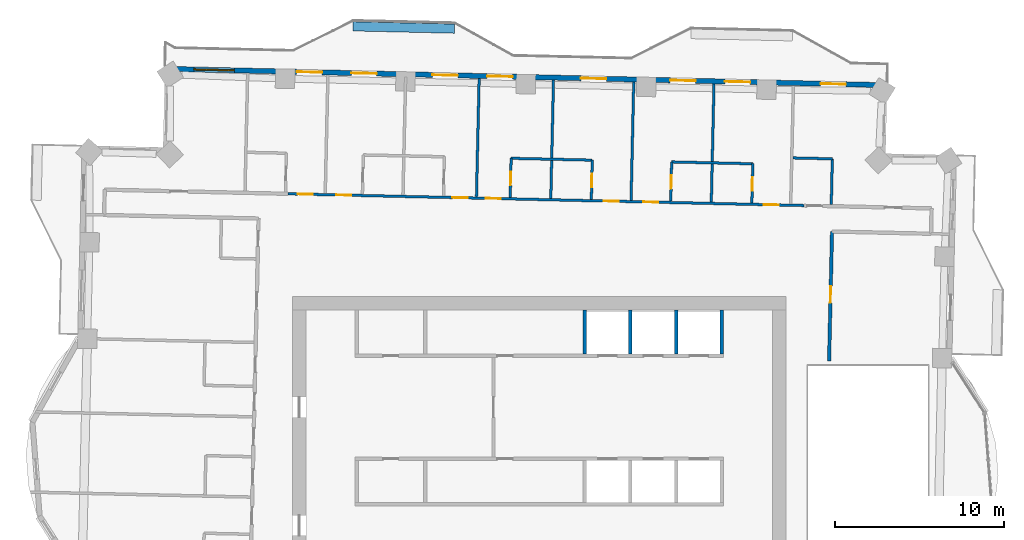
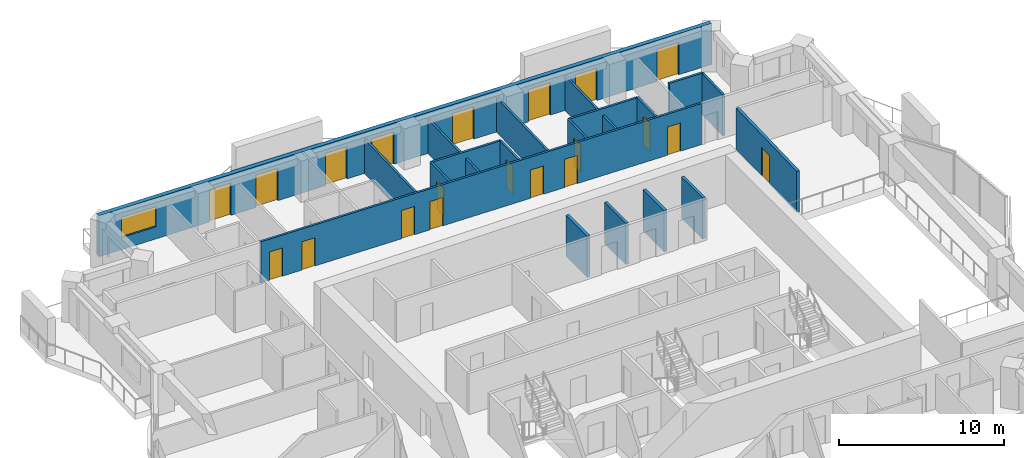
# One storey, part 9 of 14: 20 doors, 20 walls, 1 window, 21 openings.
"""IFC4 building model written with IfcOpenShell, lengths in metres."""

from ifc_helpers import new_model, si_unit, direction, frame, frame_2d, origin, place, context, subcontext, project, spatial, rectangle, extrude, material, layer, layer_set, type_object, element, fill, save


model = new_model("IFC4")

# Units and contexts
model_context = context("Model", 3, precision=1e-05, world=origin(), true_north=direction((0.0, 1.0)))
body_context = subcontext(model_context, "Body", "Model", "MODEL_VIEW")
ifc_project = project(units=[si_unit("LENGTHUNIT", "METRE"), si_unit("AREAUNIT", "SQUARE_METRE"), si_unit("VOLUMEUNIT", "CUBIC_METRE"), si_unit("PLANEANGLEUNIT", "RADIAN"), si_unit("MASSUNIT", "GRAM", prefix="KILO")], contexts=[model_context])

# Site, building, storey
site_placement = place(None, origin())
site = spatial("IfcSite", under=ifc_project, at=site_placement, CompositionType="ELEMENT")
building_placement = place(site_placement, origin())
building = spatial("IfcBuilding", under=site, at=building_placement, Name="Mangrove Gate Tower", CompositionType="ELEMENT")
storey_placement = place(building_placement, frame((0.0, 0.0, 205.10009765625)))
storey = spatial("IfcBuildingStorey", under=building, at=storey_placement, Name="L52", CompositionType="ELEMENT", Elevation=205.10009765625)

# Walls
ifc_material_1 = material(Name="Concrete C60/75", Category="concrete")
ifc_layer_1 = layer(ifc_material_1, 0.199951171875)
ifc_layer_set_1 = layer_set([ifc_layer_1], Name="Core shaft wall 200 C60/75")
wall_type_1 = type_object("IfcWallType", Name="Core shaft wall 200 C60/75", PredefinedType="SHEAR", material=ifc_layer_set_1)
for number, where, z_axis, x_axis, name in (
    (1, (2.699951171875, 8.199951171875, 0.0), (0.0, 0.0, 1.0), (0.0, 1.0, 0.0), "WALL-L52-CORE-27"),
    (2, (5.39990234375, 8.199951171875, 0.0), (0.0, 0.0, 1.0), (0.0, 1.0, 0.0), "WALL-L52-CORE-28"),
    (3, (8.10009765625, 8.199951171875, 0.0), (0.0, 0.0, 1.0), (0.0, 1.0, 0.0), "WALL-L52-CORE-29"),
    (4, (10.800048828125, 8.199951171875, 0.0), (0.0, 0.0, 1.0), (0.0, 1.0, 0.0), "WALL-L52-CORE-30"),
):
    element("IfcWall", number, at=place(storey_placement, frame(where, z_axis=z_axis, x_axis=x_axis)), inside=storey, type_object=wall_type_1, Name=name, PredefinedType="SHEAR", context=body_context, shape_type="SweptSolid", body=[
        extrude(rectangle(XDim=2.60009765625, YDim=0.199951171875, at=frame_2d((1.300048828125, 0.0))), origin(), (0.0, 0.0, 1.0), 3.0498046875),
    ])

# Wall, opening, door
ifc_material_2 = material(Name="Gypsum board on steel stud, EI 60", Category="steel")
ifc_layer_2 = layer(ifc_material_2, 0.199951171875)
ifc_layer_set_2 = layer_set([ifc_layer_2], Name="Corridor wall EI 60")
wall_type_2 = type_object("IfcWallType", Name="Corridor wall EI 60", PredefinedType="PARTITIONING", material=ifc_layer_set_2)
wall_1_placement = place(storey_placement, frame((17.154052734375, 7.785888671875, 0.0), z_axis=(0.0, 0.0, 1.0), x_axis=(0.022680883318, 0.999742755679, 0.0)))
wall_1 = element("IfcWall", 5, at=wall_1_placement, inside=storey, type_object=wall_type_2, Name="WALL-L52-044", PredefinedType="PARTITIONING", context=body_context, shape_type="SweptSolid", body=[
    extrude(rectangle(XDim=7.6640625, YDim=0.199951171875, at=frame_2d((3.83203125, 0.0))), origin(), (0.0, 0.0, 1.0), 3.0498046875),
])
opening_1_placement = place(wall_1_placement, frame((3.43408203125, 0.0, 0.0)))
opening_1 = element("IfcOpeningElement", 6, at=opening_1_placement, cuts=wall_1, Name="Opening AD", PredefinedType="OPENING", context=body_context, shape_type="SweptSolid", body=[
    extrude(rectangle(XDim=1.0, YDim=2.10009765625, at=frame_2d((0.5, 1.050048828125))), frame((0.0, 0.10986328125, 0.0), z_axis=(0.0, -1.0, 0.0), x_axis=(1.0, 0.0, 0.0)), (0.0, 0.0, 1.0), 0.219970703125),
])
ifc_material_3 = material(Name="Timber door leaf", Category="wood")
door_type_1 = type_object("IfcDoorType", Name="Amenity door 1000", OperationType="SINGLE_SWING_LEFT", PredefinedType="DOOR", material=ifc_material_3)
door_1_placement = place(opening_1_placement, origin())
door_1 = element("IfcDoor", 7, at=door_1_placement, inside=storey, type_object=door_type_1, Name="DOOR-L52-GAM-c3a", OperationType="SINGLE_SWING_RIGHT", OverallHeight=2.10009765625, OverallWidth=1.0, PredefinedType="DOOR", context=body_context, shape_type="SweptSolid", body=[
    extrude(rectangle(XDim=1.0, YDim=2.10009765625, at=frame_2d((0.5, 1.050048828125))), frame((0.0, 0.02490234375, 0.0), z_axis=(0.0, -1.0, 0.0), x_axis=(1.0, 0.0, 0.0)), (0.0, 0.0, 1.0), 0.050048828125),
])
fill(opening_1, door_1)

# Wall, openings, doors, window
ifc_material_4 = material(Name="Limestone", Category="masonry")
ifc_layer_3 = layer(ifc_material_4, 0.0400390625, Name="Limestone cladding")
ifc_material_5 = material(Name="Ventilated air gap")
ifc_layer_4 = layer(ifc_material_5, 0.0400390625, Name="Ventilated cavity")
ifc_material_6 = material(Name="Mineral wool insulation")
ifc_layer_5 = layer(ifc_material_6, 0.06005859375, Name="Insulation")
ifc_material_7 = material(Name="Breather membrane")
ifc_layer_6 = layer(ifc_material_7, 0.001953125, Name="Breather membrane")
ifc_material_8 = material(Name="Concrete C20/25 blockwork", Category="masonry")
ifc_layer_7 = layer(ifc_material_8, 0.14990234375, Name="Blockwork backing wall")
ifc_material_9 = material(Name="Gypsum plaster")
ifc_layer_8 = layer(ifc_material_9, 0.008056640625, Name="Internal plaster")
ifc_layer_set_3 = layer_set([ifc_layer_3, ifc_layer_4, ifc_layer_5, ifc_layer_6, ifc_layer_7, ifc_layer_8], Name="External wall 300 limestone cladding")
wall_type_3 = type_object("IfcWallType", Name="External wall 300 limestone cladding", PredefinedType="SOLIDWALL", material=ifc_layer_set_3)
wall_2_placement = place(storey_placement, frame((20.43701171875, 24.10595703125, 0.0), z_axis=(0.0, 0.0, 1.0), x_axis=(-0.999742506232, 0.022691875925, 0.0)))
wall_2 = element("IfcWall", 8, at=wall_2_placement, inside=storey, type_object=wall_type_3, Name="WALL-L52-N5", PredefinedType="SOLIDWALL", context=body_context, shape_type="SweptSolid", body=[
    extrude(rectangle(XDim=42.444091796875, YDim=0.300048828125, at=frame_2d((21.22216796875, 0.0))), origin(), (0.0, 0.0, 1.0), 3.0498046875),
])
opening_2_placement = place(wall_2_placement, frame((2.287109375, 0.0, 0.0)))
opening_2 = element("IfcOpeningElement", 9, at=opening_2_placement, cuts=wall_2, Name="Opening BD1", PredefinedType="OPENING", context=body_context, shape_type="SweptSolid", body=[
    extrude(rectangle(XDim=1.5, YDim=2.39990234375, at=frame_2d((0.75, 1.199951171875))), frame((0.0, 0.159912109375, 0.0), z_axis=(0.0, -1.0, 0.0), x_axis=(1.0, 0.0, 0.0)), (0.0, 0.0, 1.0), 0.320068359375),
])
opening_3_placement = place(wall_2_placement, frame((7.947021484375, 0.0, 0.0)))
opening_3 = element("IfcOpeningElement", 10, at=opening_3_placement, cuts=wall_2, Name="Opening BD1", PredefinedType="OPENING", context=body_context, shape_type="SweptSolid", body=[
    extrude(rectangle(XDim=1.5, YDim=2.39990234375, at=frame_2d((0.75, 1.199951171875))), frame((0.0, 0.159912109375, 0.0), z_axis=(0.0, -1.0, 0.0), x_axis=(1.0, 0.0, 0.0)), (0.0, 0.0, 1.0), 0.320068359375),
])
opening_4_placement = place(wall_2_placement, frame((11.18408203125, 0.0, 0.0)))
opening_4 = element("IfcOpeningElement", 11, at=opening_4_placement, cuts=wall_2, Name="Opening BD1", PredefinedType="OPENING", context=body_context, shape_type="SweptSolid", body=[
    extrude(rectangle(XDim=1.5, YDim=2.39990234375, at=frame_2d((0.75, 1.199951171875))), frame((0.0, 0.159912109375, 0.0), z_axis=(0.0, -1.0, 0.0), x_axis=(1.0, 0.0, 0.0)), (0.0, 0.0, 1.0), 0.320068359375),
])
opening_5_placement = place(wall_2_placement, frame((16.468994140625, 0.0, 0.0)))
opening_5 = element("IfcOpeningElement", 12, at=opening_5_placement, cuts=wall_2, Name="Opening BD1", PredefinedType="OPENING", context=body_context, shape_type="SweptSolid", body=[
    extrude(rectangle(XDim=1.5, YDim=2.39990234375, at=frame_2d((0.75, 1.199951171875))), frame((0.0, 0.159912109375, 0.0), z_axis=(0.0, -1.0, 0.0), x_axis=(1.0, 0.0, 0.0)), (0.0, 0.0, 1.0), 0.320068359375),
])
opening_6_placement = place(wall_2_placement, frame((22.02001953125, 0.0, 0.0)))
opening_6 = element("IfcOpeningElement", 13, at=opening_6_placement, cuts=wall_2, Name="Opening BD1", PredefinedType="OPENING", context=body_context, shape_type="SweptSolid", body=[
    extrude(rectangle(XDim=1.5, YDim=2.39990234375, at=frame_2d((0.75, 1.199951171875))), frame((0.0, 0.159912109375, 0.0), z_axis=(0.0, -1.0, 0.0), x_axis=(1.0, 0.0, 0.0)), (0.0, 0.0, 1.0), 0.320068359375),
])
opening_7_placement = place(wall_2_placement, frame((25.257080078125, 0.0, 0.0)))
opening_7 = element("IfcOpeningElement", 14, at=opening_7_placement, cuts=wall_2, Name="Opening BD1", PredefinedType="OPENING", context=body_context, shape_type="SweptSolid", body=[
    extrude(rectangle(XDim=1.5, YDim=2.39990234375, at=frame_2d((0.75, 1.199951171875))), frame((0.0, 0.159912109375, 0.0), z_axis=(0.0, -1.0, 0.0), x_axis=(1.0, 0.0, 0.0)), (0.0, 0.0, 1.0), 0.320068359375),
])
opening_8_placement = place(wall_2_placement, frame((30.056884765625, 0.0, 0.0)))
opening_8 = element("IfcOpeningElement", 15, at=opening_8_placement, cuts=wall_2, Name="Opening BD1", PredefinedType="OPENING", context=body_context, shape_type="SweptSolid", body=[
    extrude(rectangle(XDim=1.5, YDim=2.39990234375, at=frame_2d((0.75, 1.199951171875))), frame((0.0, 0.159912109375, 0.0), z_axis=(0.0, -1.0, 0.0), x_axis=(1.0, 0.0, 0.0)), (0.0, 0.0, 1.0), 0.320068359375),
])
opening_9_placement = place(wall_2_placement, frame((33.2939453125, 0.0, 0.0)))
opening_9 = element("IfcOpeningElement", 16, at=opening_9_placement, cuts=wall_2, Name="Opening BD1", PredefinedType="OPENING", context=body_context, shape_type="SweptSolid", body=[
    extrude(rectangle(XDim=1.5, YDim=2.39990234375, at=frame_2d((0.75, 1.199951171875))), frame((0.0, 0.159912109375, 0.0), z_axis=(0.0, -1.0, 0.0), x_axis=(1.0, 0.0, 0.0)), (0.0, 0.0, 1.0), 0.320068359375),
])
opening_10_placement = place(wall_2_placement, frame((38.48388671875, 0.0, 0.89990234375)))
opening_10 = element("IfcOpeningElement", 17, at=opening_10_placement, cuts=wall_2, Name="Opening W2", PredefinedType="OPENING", context=body_context, shape_type="SweptSolid", body=[
    extrude(rectangle(XDim=2.39990234375, YDim=1.5, at=frame_2d((1.199951171875, 0.75))), frame((0.0, 0.159912109375, 0.0), z_axis=(0.0, -1.0, 0.0), x_axis=(1.0, 0.0, 0.0)), (0.0, 0.0, 1.0), 0.320068359375),
])
ifc_material_10 = material(Name="Aluminium frame with laminated clear glass", Category="aluminium")
door_type_2 = type_object("IfcDoorType", Name="Balcony sliding door 1500x2400", OperationType="SLIDING_TO_LEFT", PredefinedType="DOOR", material=ifc_material_10)
door_2_placement = place(opening_2_placement, origin())
door_2 = element("IfcDoor", 18, at=door_2_placement, inside=storey, type_object=door_type_2, Name="DOOR-L52-N5-1", OperationType="SLIDING_TO_LEFT", OverallHeight=2.39990234375, OverallWidth=1.5, PredefinedType="DOOR", context=body_context, shape_type="SweptSolid", body=[
    extrude(rectangle(XDim=1.5, YDim=2.39990234375, at=frame_2d((0.75, 1.199951171875))), frame((0.0, 0.02490234375, 0.0), z_axis=(0.0, -1.0, 0.0), x_axis=(1.0, 0.0, 0.0)), (0.0, 0.0, 1.0), 0.050048828125),
])
fill(opening_2, door_2)
door_3_placement = place(opening_3_placement, origin())
door_3 = element("IfcDoor", 19, at=door_3_placement, inside=storey, type_object=door_type_2, Name="DOOR-L52-N5-2", OperationType="SLIDING_TO_LEFT", OverallHeight=2.39990234375, OverallWidth=1.5, PredefinedType="DOOR", context=body_context, shape_type="SweptSolid", body=[
    extrude(rectangle(XDim=1.5, YDim=2.39990234375, at=frame_2d((0.75, 1.199951171875))), frame((0.0, 0.02490234375, 0.0), z_axis=(0.0, -1.0, 0.0), x_axis=(1.0, 0.0, 0.0)), (0.0, 0.0, 1.0), 0.050048828125),
])
fill(opening_3, door_3)
door_4_placement = place(opening_4_placement, origin())
door_4 = element("IfcDoor", 20, at=door_4_placement, inside=storey, type_object=door_type_2, Name="DOOR-L52-N5-3", OperationType="SLIDING_TO_LEFT", OverallHeight=2.39990234375, OverallWidth=1.5, PredefinedType="DOOR", context=body_context, shape_type="SweptSolid", body=[
    extrude(rectangle(XDim=1.5, YDim=2.39990234375, at=frame_2d((0.75, 1.199951171875))), frame((0.0, 0.02490234375, 0.0), z_axis=(0.0, -1.0, 0.0), x_axis=(1.0, 0.0, 0.0)), (0.0, 0.0, 1.0), 0.050048828125),
])
fill(opening_4, door_4)
door_5_placement = place(opening_5_placement, origin())
door_5 = element("IfcDoor", 21, at=door_5_placement, inside=storey, type_object=door_type_2, Name="DOOR-L52-N5-4", OperationType="SLIDING_TO_LEFT", OverallHeight=2.39990234375, OverallWidth=1.5, PredefinedType="DOOR", context=body_context, shape_type="SweptSolid", body=[
    extrude(rectangle(XDim=1.5, YDim=2.39990234375, at=frame_2d((0.75, 1.199951171875))), frame((0.0, 0.02490234375, 0.0), z_axis=(0.0, -1.0, 0.0), x_axis=(1.0, 0.0, 0.0)), (0.0, 0.0, 1.0), 0.050048828125),
])
fill(opening_5, door_5)
door_6_placement = place(opening_6_placement, origin())
door_6 = element("IfcDoor", 22, at=door_6_placement, inside=storey, type_object=door_type_2, Name="DOOR-L52-N5-5", OperationType="SLIDING_TO_LEFT", OverallHeight=2.39990234375, OverallWidth=1.5, PredefinedType="DOOR", context=body_context, shape_type="SweptSolid", body=[
    extrude(rectangle(XDim=1.5, YDim=2.39990234375, at=frame_2d((0.75, 1.199951171875))), frame((0.0, 0.02490234375, 0.0), z_axis=(0.0, -1.0, 0.0), x_axis=(1.0, 0.0, 0.0)), (0.0, 0.0, 1.0), 0.050048828125),
])
fill(opening_6, door_6)
door_7_placement = place(opening_7_placement, origin())
door_7 = element("IfcDoor", 23, at=door_7_placement, inside=storey, type_object=door_type_2, Name="DOOR-L52-N5-6", OperationType="SLIDING_TO_LEFT", OverallHeight=2.39990234375, OverallWidth=1.5, PredefinedType="DOOR", context=body_context, shape_type="SweptSolid", body=[
    extrude(rectangle(XDim=1.5, YDim=2.39990234375, at=frame_2d((0.75, 1.199951171875))), frame((0.0, 0.02490234375, 0.0), z_axis=(0.0, -1.0, 0.0), x_axis=(1.0, 0.0, 0.0)), (0.0, 0.0, 1.0), 0.050048828125),
])
fill(opening_7, door_7)
door_8_placement = place(opening_8_placement, origin())
door_8 = element("IfcDoor", 24, at=door_8_placement, inside=storey, type_object=door_type_2, Name="DOOR-L52-N5-7", OperationType="SLIDING_TO_LEFT", OverallHeight=2.39990234375, OverallWidth=1.5, PredefinedType="DOOR", context=body_context, shape_type="SweptSolid", body=[
    extrude(rectangle(XDim=1.5, YDim=2.39990234375, at=frame_2d((0.75, 1.199951171875))), frame((0.0, 0.02490234375, 0.0), z_axis=(0.0, -1.0, 0.0), x_axis=(1.0, 0.0, 0.0)), (0.0, 0.0, 1.0), 0.050048828125),
])
fill(opening_8, door_8)
door_9_placement = place(opening_9_placement, origin())
door_9 = element("IfcDoor", 25, at=door_9_placement, inside=storey, type_object=door_type_2, Name="DOOR-L52-N5-8", OperationType="SLIDING_TO_LEFT", OverallHeight=2.39990234375, OverallWidth=1.5, PredefinedType="DOOR", context=body_context, shape_type="SweptSolid", body=[
    extrude(rectangle(XDim=1.5, YDim=2.39990234375, at=frame_2d((0.75, 1.199951171875))), frame((0.0, 0.02490234375, 0.0), z_axis=(0.0, -1.0, 0.0), x_axis=(1.0, 0.0, 0.0)), (0.0, 0.0, 1.0), 0.050048828125),
])
fill(opening_9, door_9)
ifc_material_11 = material(Name="Aluminium frame with double-glazed low-e glass", Category="aluminium")
window_type = type_object("IfcWindowType", Name="Corner room window 2400x1500", PartitioningType="DOUBLE_PANEL_VERTICAL", PredefinedType="WINDOW", material=ifc_material_11)
window_placement = place(opening_10_placement, origin())
window = element("IfcWindow", 26, at=window_placement, inside=storey, type_object=window_type, Name="WIN-L52-N5-9", OverallHeight=1.5, OverallWidth=2.39990234375, PartitioningType="DOUBLE_PANEL_VERTICAL", PredefinedType="WINDOW", context=body_context, shape_type="SweptSolid", body=[
    extrude(rectangle(XDim=2.39990234375, YDim=1.5, at=frame_2d((1.199951171875, 0.75))), frame((0.0, 0.030029296875, 0.0), z_axis=(0.0, -1.0, 0.0), x_axis=(1.0, 0.0, 0.0)), (0.0, 0.0, 1.0), 0.06005859375),
])
fill(opening_10, window)

# Wall, openings, doors
ifc_material_12 = material(Name="Gypsum board on steel stud, EI 60", Category="steel")
ifc_layer_9 = layer(ifc_material_12, 0.14990234375)
ifc_layer_set_4 = layer_set([ifc_layer_9], Name="Party wall 150 EI 60")
wall_type_4 = type_object("IfcWallType", Name="Party wall 150 EI 60", PredefinedType="PARTITIONING", material=ifc_layer_set_4)
wall_3_placement = place(storey_placement, frame((-14.87109375, 17.675048828125, 0.0), z_axis=(0.0, 0.0, 1.0), x_axis=(0.999742359486, -0.02269834024, 0.0)))
wall_3 = element("IfcWall", 27, at=wall_3_placement, inside=storey, type_object=wall_type_4, Name="WALL-L52-055", PredefinedType="PARTITIONING", context=body_context, shape_type="SweptSolid", body=[
    extrude(rectangle(XDim=30.535888671875, YDim=0.14990234375, at=frame_2d((15.26806640625, 0.0))), origin(), (0.0, 0.0, 1.0), 3.0498046875),
])
opening_11_placement = place(wall_3_placement, frame((28.158935546875, 0.0, 0.0)))
opening_11 = element("IfcOpeningElement", 28, at=opening_11_placement, cuts=wall_3, Name="Opening BD", PredefinedType="OPENING", context=body_context, shape_type="SweptSolid", body=[
    extrude(rectangle(XDim=0.89990234375, YDim=2.10009765625, at=frame_2d((0.449951171875, 1.050048828125))), frame((0.0, 0.0849609375, 0.0), z_axis=(0.0, -1.0, 0.0), x_axis=(1.0, 0.0, 0.0)), (0.0, 0.0, 1.0), 0.169921875),
])
opening_12_placement = place(wall_3_placement, frame((21.033935546875, 0.0, 0.0)))
opening_12 = element("IfcOpeningElement", 29, at=opening_12_placement, cuts=wall_3, Name="Opening BD", PredefinedType="OPENING", context=body_context, shape_type="SweptSolid", body=[
    extrude(rectangle(XDim=0.89990234375, YDim=2.10009765625, at=frame_2d((0.449951171875, 1.050048828125))), frame((0.0, 0.0849609375, 0.0), z_axis=(0.0, -1.0, 0.0), x_axis=(1.0, 0.0, 0.0)), (0.0, 0.0, 1.0), 0.169921875),
])
opening_13_placement = place(wall_3_placement, frame((18.68408203125, 0.0, 0.0)))
opening_13 = element("IfcOpeningElement", 30, at=opening_13_placement, cuts=wall_3, Name="Opening BD", PredefinedType="OPENING", context=body_context, shape_type="SweptSolid", body=[
    extrude(rectangle(XDim=0.89990234375, YDim=2.10009765625, at=frame_2d((0.449951171875, 1.050048828125))), frame((0.0, 0.0849609375, 0.0), z_axis=(0.0, -1.0, 0.0), x_axis=(1.0, 0.0, 0.0)), (0.0, 0.0, 1.0), 0.169921875),
])
opening_14_placement = place(wall_3_placement, frame((11.708984375, 0.0, 0.0)))
opening_14 = element("IfcOpeningElement", 31, at=opening_14_placement, cuts=wall_3, Name="Opening BD", PredefinedType="OPENING", context=body_context, shape_type="SweptSolid", body=[
    extrude(rectangle(XDim=0.89990234375, YDim=2.10009765625, at=frame_2d((0.449951171875, 1.050048828125))), frame((0.0, 0.0849609375, 0.0), z_axis=(0.0, -1.0, 0.0), x_axis=(1.0, 0.0, 0.0)), (0.0, 0.0, 1.0), 0.169921875),
])
opening_15_placement = place(wall_3_placement, frame((9.73388671875, 0.0, 0.0)))
opening_15 = element("IfcOpeningElement", 32, at=opening_15_placement, cuts=wall_3, Name="Opening BD", PredefinedType="OPENING", context=body_context, shape_type="SweptSolid", body=[
    extrude(rectangle(XDim=0.89990234375, YDim=2.10009765625, at=frame_2d((0.449951171875, 1.050048828125))), frame((0.0, 0.0849609375, 0.0), z_axis=(0.0, -1.0, 0.0), x_axis=(1.0, 0.0, 0.0)), (0.0, 0.0, 1.0), 0.169921875),
])
opening_16_placement = place(wall_3_placement, frame((2.85888671875, 0.0, 0.0)))
opening_16 = element("IfcOpeningElement", 33, at=opening_16_placement, cuts=wall_3, Name="Opening BD", PredefinedType="OPENING", context=body_context, shape_type="SweptSolid", body=[
    extrude(rectangle(XDim=0.89990234375, YDim=2.10009765625, at=frame_2d((0.449951171875, 1.050048828125))), frame((0.0, 0.0849609375, 0.0), z_axis=(0.0, -1.0, 0.0), x_axis=(1.0, 0.0, 0.0)), (0.0, 0.0, 1.0), 0.169921875),
])
opening_17_placement = place(wall_3_placement, frame((0.583984375, 0.0, 0.0)))
opening_17 = element("IfcOpeningElement", 34, at=opening_17_placement, cuts=wall_3, Name="Opening BD", PredefinedType="OPENING", context=body_context, shape_type="SweptSolid", body=[
    extrude(rectangle(XDim=0.89990234375, YDim=2.10009765625, at=frame_2d((0.449951171875, 1.050048828125))), frame((0.0, 0.0849609375, 0.0), z_axis=(0.0, -1.0, 0.0), x_axis=(1.0, 0.0, 0.0)), (0.0, 0.0, 1.0), 0.169921875),
])
ifc_material_13 = material(Name="Timber door leaf", Category="wood")
door_type_3 = type_object("IfcDoorType", Name="Bedroom door 900", OperationType="SINGLE_SWING_LEFT", PredefinedType="DOOR", material=ifc_material_13)
door_10_placement = place(opening_11_placement, origin())
door_10 = element("IfcDoor", 35, at=door_10_placement, inside=storey, type_object=door_type_3, Name="DOOR-L52-BED-c308", OperationType="SINGLE_SWING_RIGHT", OverallHeight=2.10009765625, OverallWidth=0.89990234375, PredefinedType="DOOR", context=body_context, shape_type="SweptSolid", body=[
    extrude(rectangle(XDim=0.89990234375, YDim=2.10009765625, at=frame_2d((0.449951171875, 1.050048828125))), frame((0.0, 0.02490234375, 0.0), z_axis=(0.0, -1.0, 0.0), x_axis=(1.0, 0.0, 0.0)), (0.0, 0.0, 1.0), 0.050048828125),
])
fill(opening_11, door_10)
door_11_placement = place(opening_12_placement, origin())
door_11 = element("IfcDoor", 36, at=door_11_placement, inside=storey, type_object=door_type_3, Name="DOOR-L52-BED-c309", OperationType="SINGLE_SWING_LEFT", OverallHeight=2.10009765625, OverallWidth=0.89990234375, PredefinedType="DOOR", context=body_context, shape_type="SweptSolid", body=[
    extrude(rectangle(XDim=0.89990234375, YDim=2.10009765625, at=frame_2d((0.449951171875, 1.050048828125))), frame((0.0, 0.02490234375, 0.0), z_axis=(0.0, -1.0, 0.0), x_axis=(1.0, 0.0, 0.0)), (0.0, 0.0, 1.0), 0.050048828125),
])
fill(opening_12, door_11)
door_12_placement = place(opening_13_placement, origin())
door_12 = element("IfcDoor", 37, at=door_12_placement, inside=storey, type_object=door_type_3, Name="DOOR-L52-BED-c410", OperationType="SINGLE_SWING_RIGHT", OverallHeight=2.10009765625, OverallWidth=0.89990234375, PredefinedType="DOOR", context=body_context, shape_type="SweptSolid", body=[
    extrude(rectangle(XDim=0.89990234375, YDim=2.10009765625, at=frame_2d((0.449951171875, 1.050048828125))), frame((0.0, 0.02490234375, 0.0), z_axis=(0.0, -1.0, 0.0), x_axis=(1.0, 0.0, 0.0)), (0.0, 0.0, 1.0), 0.050048828125),
])
fill(opening_13, door_12)
door_13_placement = place(opening_14_placement, origin())
door_13 = element("IfcDoor", 38, at=door_13_placement, inside=storey, type_object=door_type_3, Name="DOOR-L52-BED-c411", OperationType="SINGLE_SWING_LEFT", OverallHeight=2.10009765625, OverallWidth=0.89990234375, PredefinedType="DOOR", context=body_context, shape_type="SweptSolid", body=[
    extrude(rectangle(XDim=0.89990234375, YDim=2.10009765625, at=frame_2d((0.449951171875, 1.050048828125))), frame((0.0, 0.02490234375, 0.0), z_axis=(0.0, -1.0, 0.0), x_axis=(1.0, 0.0, 0.0)), (0.0, 0.0, 1.0), 0.050048828125),
])
fill(opening_14, door_13)
door_14_placement = place(opening_15_placement, origin())
door_14 = element("IfcDoor", 39, at=door_14_placement, inside=storey, type_object=door_type_3, Name="DOOR-L52-BED-c412", OperationType="SINGLE_SWING_RIGHT", OverallHeight=2.10009765625, OverallWidth=0.89990234375, PredefinedType="DOOR", context=body_context, shape_type="SweptSolid", body=[
    extrude(rectangle(XDim=0.89990234375, YDim=2.10009765625, at=frame_2d((0.449951171875, 1.050048828125))), frame((0.0, 0.02490234375, 0.0), z_axis=(0.0, -1.0, 0.0), x_axis=(1.0, 0.0, 0.0)), (0.0, 0.0, 1.0), 0.050048828125),
])
fill(opening_15, door_14)
door_15_placement = place(opening_16_placement, origin())
door_15 = element("IfcDoor", 40, at=door_15_placement, inside=storey, type_object=door_type_3, Name="DOOR-L52-BED-c513", OperationType="SINGLE_SWING_LEFT", OverallHeight=2.10009765625, OverallWidth=0.89990234375, PredefinedType="DOOR", context=body_context, shape_type="SweptSolid", body=[
    extrude(rectangle(XDim=0.89990234375, YDim=2.10009765625, at=frame_2d((0.449951171875, 1.050048828125))), frame((0.0, 0.02490234375, 0.0), z_axis=(0.0, -1.0, 0.0), x_axis=(1.0, 0.0, 0.0)), (0.0, 0.0, 1.0), 0.050048828125),
])
fill(opening_16, door_15)
door_16_placement = place(opening_17_placement, origin())
door_16 = element("IfcDoor", 41, at=door_16_placement, inside=storey, type_object=door_type_3, Name="DOOR-L52-BED-c514", OperationType="SINGLE_SWING_RIGHT", OverallHeight=2.10009765625, OverallWidth=0.89990234375, PredefinedType="DOOR", context=body_context, shape_type="SweptSolid", body=[
    extrude(rectangle(XDim=0.89990234375, YDim=2.10009765625, at=frame_2d((0.449951171875, 1.050048828125))), frame((0.0, 0.02490234375, 0.0), z_axis=(0.0, -1.0, 0.0), x_axis=(1.0, 0.0, 0.0)), (0.0, 0.0, 1.0), 0.050048828125),
])
fill(opening_17, door_16)

# Wall
wall_4_placement = place(storey_placement, frame((-3.7109375, 17.5009765625, 0.0), z_axis=(0.0, 0.0, 1.0), x_axis=(0.022702393474, 0.999742267452, 0.0)))
element("IfcWall", 42, at=wall_4_placement, inside=storey, type_object=wall_type_4, Name="WALL-L52-063", PredefinedType="PARTITIONING", context=body_context, shape_type="SweptSolid", body=[
    extrude(rectangle(XDim=7.000732421875, YDim=0.14990234375, at=frame_2d((3.50048828125, 0.0))), origin(), (0.0, 0.0, 1.0), 2.5498046875),
])

# Wall, opening, door
wall_5_placement = place(storey_placement, frame((-1.7109375, 17.4560546875, 0.0), z_axis=(0.0, 0.0, 1.0), x_axis=(0.022370700241, 0.999749744571, 0.0)))
wall_5 = element("IfcWall", 43, at=wall_5_placement, inside=storey, type_object=wall_type_4, Name="WALL-L52-064", PredefinedType="PARTITIONING", context=body_context, shape_type="SweptSolid", body=[
    extrude(rectangle(XDim=2.324462890625, YDim=0.14990234375, at=frame_2d((1.162109375, 0.0))), origin(), (0.0, 0.0, 1.0), 3.0498046875),
])
opening_18_placement = place(wall_5_placement, frame((0.72509765625, 0.0, 0.0)))
opening_18 = element("IfcOpeningElement", 44, at=opening_18_placement, cuts=wall_5, Name="Opening ED", PredefinedType="OPENING", context=body_context, shape_type="SweptSolid", body=[
    extrude(rectangle(XDim=0.800048828125, YDim=2.10009765625, at=frame_2d((0.39990234375, 1.050048828125))), frame((0.0, 0.0849609375, 0.0), z_axis=(0.0, -1.0, 0.0), x_axis=(1.0, 0.0, 0.0)), (0.0, 0.0, 1.0), 0.169921875),
])
ifc_material_14 = material(Name="Timber door leaf", Category="wood")
door_type_4 = type_object("IfcDoorType", Name="En-suite door 800", OperationType="SINGLE_SWING_LEFT", PredefinedType="DOOR", material=ifc_material_14)
door_17_placement = place(opening_18_placement, origin())
door_17 = element("IfcDoor", 45, at=door_17_placement, inside=storey, type_object=door_type_4, Name="DOOR-L52-ENS-c411", OperationType="SINGLE_SWING_LEFT", OverallHeight=2.10009765625, OverallWidth=0.800048828125, PredefinedType="DOOR", context=body_context, shape_type="SweptSolid", body=[
    extrude(rectangle(XDim=0.800048828125, YDim=2.10009765625, at=frame_2d((0.39990234375, 1.050048828125))), frame((0.0, 0.02490234375, 0.0), z_axis=(0.0, -1.0, 0.0), x_axis=(1.0, 0.0, 0.0)), (0.0, 0.0, 1.0), 0.050048828125),
])
fill(opening_18, door_17)

# Wall
wall_6_placement = place(storey_placement, frame((0.68798828125, 17.40087890625, 0.0), z_axis=(0.0, 0.0, 1.0), x_axis=(0.022699227919, 0.999742339331, 0.0)))
element("IfcWall", 46, at=wall_6_placement, inside=storey, type_object=wall_type_4, Name="WALL-L52-065", PredefinedType="PARTITIONING", context=body_context, shape_type="SweptSolid", body=[
    extrude(rectangle(XDim=7.001708984375, YDim=0.14990234375, at=frame_2d((3.5009765625, 0.0))), origin(), (0.0, 0.0, 1.0), 2.5498046875),
])

# Wall, opening, door
wall_7_placement = place(storey_placement, frame((3.0869140625, 17.346923828125, 0.0), z_axis=(0.0, 0.0, 1.0), x_axis=(0.02279059109, 0.999740260747, 0.0)))
wall_7 = element("IfcWall", 47, at=wall_7_placement, inside=storey, type_object=wall_type_4, Name="WALL-L52-066", PredefinedType="PARTITIONING", context=body_context, shape_type="SweptSolid", body=[
    extrude(rectangle(XDim=2.324462890625, YDim=0.14990234375, at=frame_2d((1.162109375, 0.0))), origin(), (0.0, 0.0, 1.0), 3.0498046875),
])
opening_19_placement = place(wall_7_placement, frame((0.72509765625, 0.0, 0.0)))
opening_19 = element("IfcOpeningElement", 48, at=opening_19_placement, cuts=wall_7, Name="Opening ED", PredefinedType="OPENING", context=body_context, shape_type="SweptSolid", body=[
    extrude(rectangle(XDim=0.800048828125, YDim=2.10009765625, at=frame_2d((0.39990234375, 1.050048828125))), frame((0.0, 0.0849609375, 0.0), z_axis=(0.0, -1.0, 0.0), x_axis=(1.0, 0.0, 0.0)), (0.0, 0.0, 1.0), 0.169921875),
])
door_18_placement = place(opening_19_placement, origin())
door_18 = element("IfcDoor", 49, at=door_18_placement, inside=storey, type_object=door_type_4, Name="DOOR-L52-ENS-c410", OperationType="SINGLE_SWING_RIGHT", OverallHeight=2.10009765625, OverallWidth=0.800048828125, PredefinedType="DOOR", context=body_context, shape_type="SweptSolid", body=[
    extrude(rectangle(XDim=0.800048828125, YDim=2.10009765625, at=frame_2d((0.39990234375, 1.050048828125))), frame((0.0, 0.02490234375, 0.0), z_axis=(0.0, -1.0, 0.0), x_axis=(1.0, 0.0, 0.0)), (0.0, 0.0, 1.0), 0.050048828125),
])
fill(opening_19, door_18)

# Wall
wall_8_placement = place(storey_placement, frame((5.43701171875, 17.29296875, 0.0), z_axis=(0.0, 0.0, 1.0), x_axis=(0.022699227919, 0.999742339331, 0.0)))
element("IfcWall", 50, at=wall_8_placement, inside=storey, type_object=wall_type_4, Name="WALL-L52-067", PredefinedType="PARTITIONING", context=body_context, shape_type="SweptSolid", body=[
    extrude(rectangle(XDim=7.001708984375, YDim=0.14990234375, at=frame_2d((3.5009765625, 0.0))), origin(), (0.0, 0.0, 1.0), 2.5498046875),
])

# Wall, opening, door
wall_9_placement = place(storey_placement, frame((7.785888671875, 17.239990234375, 0.0), z_axis=(0.0, 0.0, 1.0), x_axis=(0.022895561926, 0.999737862264, 0.0)))
wall_9 = element("IfcWall", 51, at=wall_9_placement, inside=storey, type_object=wall_type_4, Name="WALL-L52-068", PredefinedType="PARTITIONING", context=body_context, shape_type="SweptSolid", body=[
    extrude(rectangle(XDim=2.324462890625, YDim=0.14990234375, at=frame_2d((1.162109375, 0.0))), origin(), (0.0, 0.0, 1.0), 3.0498046875),
])
opening_20_placement = place(wall_9_placement, frame((0.72509765625, 0.0, 0.0)))
opening_20 = element("IfcOpeningElement", 52, at=opening_20_placement, cuts=wall_9, Name="Opening ED", PredefinedType="OPENING", context=body_context, shape_type="SweptSolid", body=[
    extrude(rectangle(XDim=0.800048828125, YDim=2.10009765625, at=frame_2d((0.39990234375, 1.050048828125))), frame((0.0, 0.0849609375, 0.0), z_axis=(0.0, -1.0, 0.0), x_axis=(1.0, 0.0, 0.0)), (0.0, 0.0, 1.0), 0.169921875),
])
door_19_placement = place(opening_20_placement, origin())
door_19 = element("IfcDoor", 53, at=door_19_placement, inside=storey, type_object=door_type_4, Name="DOOR-L52-ENS-c309", OperationType="SINGLE_SWING_LEFT", OverallHeight=2.10009765625, OverallWidth=0.800048828125, PredefinedType="DOOR", context=body_context, shape_type="SweptSolid", body=[
    extrude(rectangle(XDim=0.800048828125, YDim=2.10009765625, at=frame_2d((0.39990234375, 1.050048828125))), frame((0.0, 0.02490234375, 0.0), z_axis=(0.0, -1.0, 0.0), x_axis=(1.0, 0.0, 0.0)), (0.0, 0.0, 1.0), 0.050048828125),
])
fill(opening_20, door_19)

# Wall
wall_10_placement = place(storey_placement, frame((10.18505859375, 17.18603515625, 0.0), z_axis=(0.0, 0.0, 1.0), x_axis=(0.022702393474, 0.999742267452, 0.0)))
element("IfcWall", 54, at=wall_10_placement, inside=storey, type_object=wall_type_4, Name="WALL-L52-069", PredefinedType="PARTITIONING", context=body_context, shape_type="SweptSolid", body=[
    extrude(rectangle(XDim=7.000732421875, YDim=0.14990234375, at=frame_2d((3.50048828125, 0.0))), origin(), (0.0, 0.0, 1.0), 2.5498046875),
])

# Wall, opening, door
wall_11_placement = place(storey_placement, frame((12.5849609375, 17.131103515625, 0.0), z_axis=(0.0, 0.0, 1.0), x_axis=(0.022781023197, 0.999740478815, 0.0)))
wall_11 = element("IfcWall", 55, at=wall_11_placement, inside=storey, type_object=wall_type_4, Name="WALL-L52-070", PredefinedType="PARTITIONING", context=body_context, shape_type="SweptSolid", body=[
    extrude(rectangle(XDim=2.325439453125, YDim=0.14990234375, at=frame_2d((1.16259765625, 0.0))), origin(), (0.0, 0.0, 1.0), 3.0498046875),
])
opening_21_placement = place(wall_11_placement, frame((0.72509765625, 0.0, 0.0)))
opening_21 = element("IfcOpeningElement", 56, at=opening_21_placement, cuts=wall_11, Name="Opening ED", PredefinedType="OPENING", context=body_context, shape_type="SweptSolid", body=[
    extrude(rectangle(XDim=0.800048828125, YDim=2.10009765625, at=frame_2d((0.39990234375, 1.050048828125))), frame((0.0, 0.0849609375, 0.0), z_axis=(0.0, -1.0, 0.0), x_axis=(1.0, 0.0, 0.0)), (0.0, 0.0, 1.0), 0.169921875),
])
door_20_placement = place(opening_21_placement, origin())
door_20 = element("IfcDoor", 57, at=door_20_placement, inside=storey, type_object=door_type_4, Name="DOOR-L52-ENS-c308", OperationType="SINGLE_SWING_RIGHT", OverallHeight=2.10009765625, OverallWidth=0.800048828125, PredefinedType="DOOR", context=body_context, shape_type="SweptSolid", body=[
    extrude(rectangle(XDim=0.800048828125, YDim=2.10009765625, at=frame_2d((0.39990234375, 1.050048828125))), frame((0.0, 0.02490234375, 0.0), z_axis=(0.0, -1.0, 0.0), x_axis=(1.0, 0.0, 0.0)), (0.0, 0.0, 1.0), 0.050048828125),
])
fill(opening_21, door_20)

# Walls
wall_12_placement = place(storey_placement, frame((17.283935546875, 17.050048828125, 0.0), z_axis=(0.0, 0.0, 1.0), x_axis=(0.02260842146, 0.999744396973, 0.0)))
element("IfcWall", 58, at=wall_12_placement, inside=storey, type_object=wall_type_4, Name="WALL-L52-072", PredefinedType="PARTITIONING", context=body_context, shape_type="SweptSolid", body=[
    extrude(rectangle(XDim=2.69970703125, YDim=0.14990234375, at=frame_2d((1.349853515625, 0.0))), origin(), (0.0, 0.0, 1.0), 3.0498046875),
])
wall_13_placement = place(storey_placement, frame((-1.660888671875, 19.77587890625, 0.0), z_axis=(0.0, 0.0, 1.0), x_axis=(0.999742675121, -0.022684433919, 0.0)))
element("IfcWall", 59, at=wall_13_placement, inside=storey, type_object=wall_type_4, Name="WALL-L52-075", PredefinedType="PARTITIONING", context=body_context, shape_type="SweptSolid", body=[
    extrude(rectangle(XDim=4.800048828125, YDim=0.14990234375, at=frame_2d((2.39990234375, 0.0))), origin(), (0.0, 0.0, 1.0), 3.0498046875),
])
wall_14_placement = place(storey_placement, frame((7.8369140625, 19.56103515625, 0.0), z_axis=(0.0, 0.0, 1.0), x_axis=(0.99974154664, -0.022734113616, 0.0)))
element("IfcWall", 60, at=wall_14_placement, inside=storey, type_object=wall_type_4, Name="WALL-L52-076", PredefinedType="PARTITIONING", context=body_context, shape_type="SweptSolid", body=[
    extrude(rectangle(XDim=4.80029296875, YDim=0.14990234375, at=frame_2d((2.400146484375, 0.0))), origin(), (0.0, 0.0, 1.0), 3.0498046875),
])
wall_15_placement = place(storey_placement, frame((15.01904296875, 19.798095703125, 0.0), z_axis=(0.0, 0.0, 1.0), x_axis=(0.999740260747, -0.02279059109, 0.0)))
element("IfcWall", 61, at=wall_15_placement, inside=storey, type_object=wall_type_4, Name="WALL-L52-077", PredefinedType="PARTITIONING", context=body_context, shape_type="SweptSolid", body=[
    extrude(rectangle(XDim=2.324462890625, YDim=0.14990234375, at=frame_2d((1.162109375, 0.0))), origin(), (0.0, 0.0, 1.0), 3.0498046875),
])
ifc_material_15 = material(Name="Concrete C32/40", Category="concrete")
ifc_layer_10 = layer(ifc_material_15, 0.199951171875, Name="Planter trough wall")
ifc_material_16 = material(Name="Bituminous waterproofing membrane")
ifc_layer_11 = layer(ifc_material_16, 0.0048828125, Name="Waterproofing")
ifc_material_17 = material(Name="Drainage board and gravel")
ifc_layer_12 = layer(ifc_material_17, 0.044921875, Name="Drainage layer")
ifc_material_18 = material(Name="Planting soil")
ifc_layer_13 = layer(ifc_material_18, 0.300048828125, Name="Growing medium")
ifc_layer_set_5 = layer_set([ifc_layer_10, ifc_layer_11, ifc_layer_12, ifc_layer_13], Name="Planter wall 550 C32/40")
wall_type_5 = type_object("IfcWallType", Name="Planter wall 550 C32/40", PredefinedType="USERDEFINED", material=ifc_layer_set_5)
wall_16_placement = place(storey_placement, frame((-11.013916015625, 27.5849609375, 0.0), z_axis=(0.0, 0.0, 1.0), x_axis=(0.999743178102, -0.022662255828, 0.0)))
element("IfcWall", 62, at=wall_16_placement, inside=storey, type_object=wall_type_5, Name="PLANTER L52 N1.1", ObjectType="PLANTER", PredefinedType="USERDEFINED", context=body_context, shape_type="SweptSolid", body=[
    extrude(rectangle(XDim=6.00048828125, YDim=0.550048828125, at=frame_2d((3.000244140625, 0.0))), origin(), (0.0, 0.0, 1.0), 0.7998046875),
])

save(model, "model.ifc")
